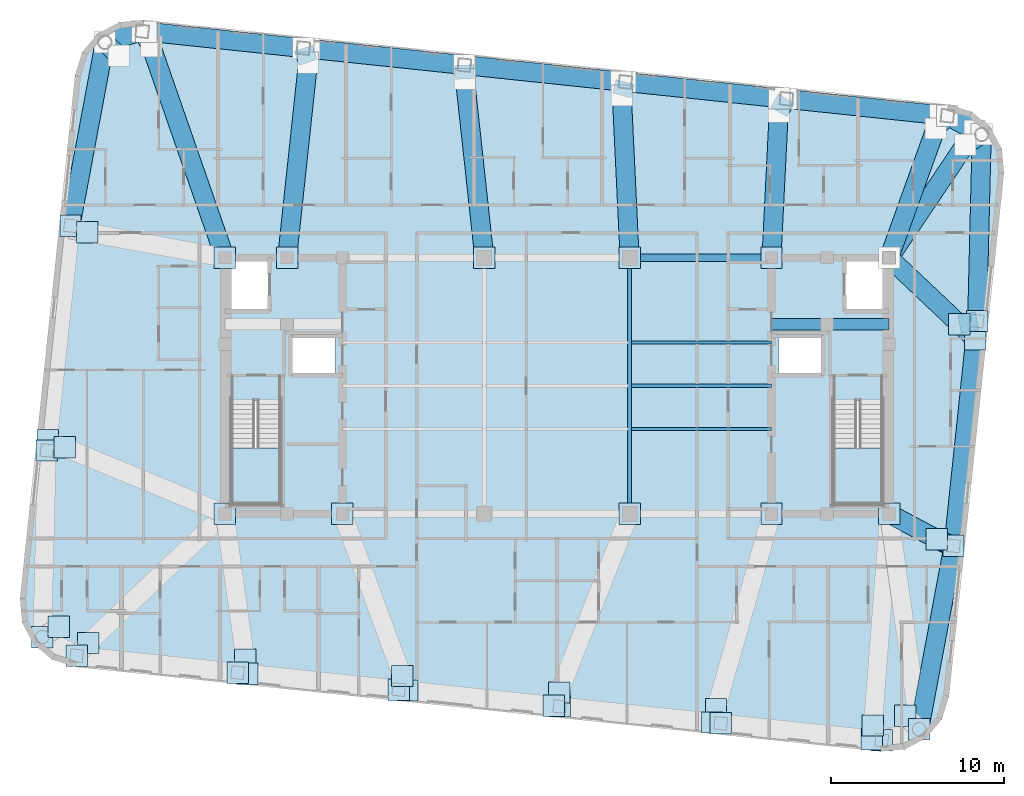
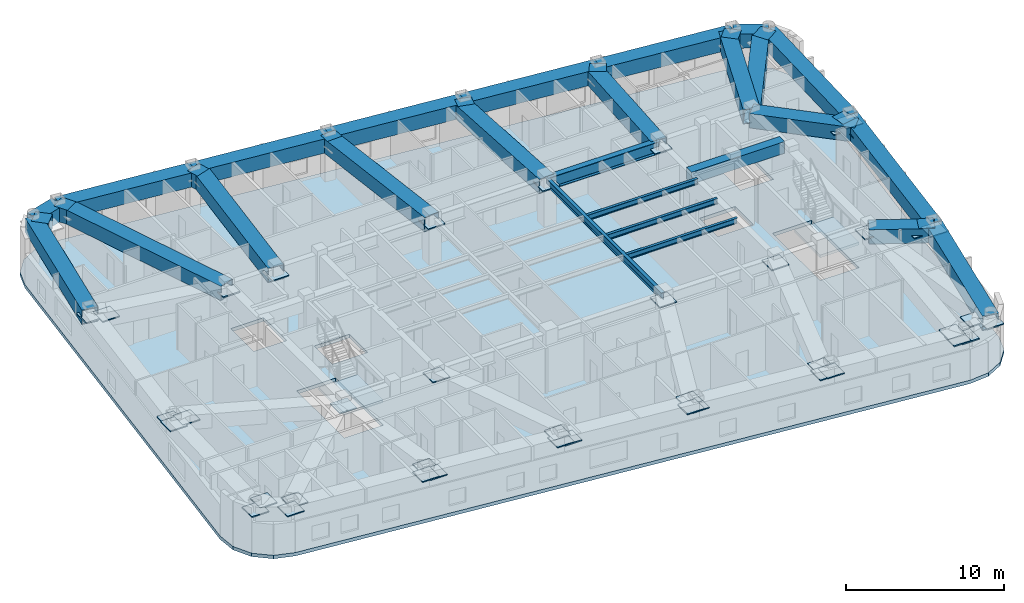
# One storey, part 2 of 12: 41 plates, 36 beams, 3 slabs, 2 elements without a shape of their own.
"""IFC4 building model written with IfcOpenShell, lengths in metres."""

from ifc_helpers import new_model, si_unit, direction, frame, origin, origin_2d, place, context, subcontext, project, spatial, polyline, rectangle, hollow_rectangle, i_section, outline, extrude, material, layer, layer_set, material_profile, profile_set, type_object, element, aggregate, save


model = new_model("IFC4")

# Units and contexts
model_context = context("Model", 3, precision=1e-05, world=origin(), true_north=direction((0.0, 1.0)))
body_context = subcontext(model_context, "Body", "Model", "MODEL_VIEW")
ifc_project = project(units=[si_unit("LENGTHUNIT", "METRE"), si_unit("AREAUNIT", "SQUARE_METRE"), si_unit("VOLUMEUNIT", "CUBIC_METRE"), si_unit("PLANEANGLEUNIT", "RADIAN"), si_unit("MASSUNIT", "GRAM", prefix="KILO")], contexts=[model_context])

# Site, building, storey
site_placement = place(None, origin())
site = spatial("IfcSite", under=ifc_project, at=site_placement, CompositionType="ELEMENT")
building_placement = place(site_placement, origin())
building = spatial("IfcBuilding", under=site, at=building_placement, Name="Voryun Gate Residences", CompositionType="ELEMENT")
storey_placement = place(building_placement, frame((0.0, 0.0, 306.800048828125)))
storey = spatial("IfcBuildingStorey", under=building, at=storey_placement, Name="L76", CompositionType="ELEMENT", Elevation=306.800048828125)

# Beams
ifc_material_1 = material(Name="Steel SM420", Category="steel")
ifc_material_profile_1 = material_profile(ifc_material_1, hollow_rectangle(XDim=1.10009765625, YDim=1.10009765625, WallThickness=0.035888671875, at=origin_2d()), Name="BOX-1100x1100x36")
ifc_profile_set_1 = profile_set([ifc_material_profile_1], Name="Steel SM420")
beam_type_1 = type_object("IfcBeamType", Name="BM_ARCH_RIB", PredefinedType="USERDEFINED", material=ifc_profile_set_1)
beam_1_placement = place(storey_placement, frame((20.939453125, -19.855224609375, 2.949951171875), z_axis=(0.183852585596, 0.982953827384, 0.0), x_axis=(-0.982953827384, 0.183852585596, 0.0)))
element("IfcBeam", 1, at=beam_1_placement, inside=storey, type_object=beam_type_1, Name="BM-L76-SPAND-07", ObjectType="GIRDER", PredefinedType="USERDEFINED", context=body_context, shape_type="SweptSolid", body=[
    extrude(hollow_rectangle(XDim=1.10009765625, YDim=1.10009765625, WallThickness=0.035888671875, at=origin_2d()), origin(), (0.0, 0.0, 1.0), 10.78662109375),
])
beam_2_placement = place(storey_placement, frame((22.922607421875, -9.25244140625, 2.949951171875), z_axis=(0.104528209082, 0.994521922084, 0.0), x_axis=(-0.994521922084, 0.104528209082, 0.0)))
element("IfcBeam", 2, at=beam_2_placement, inside=storey, type_object=beam_type_1, Name="BM-L76-SPAND-08", ObjectType="GIRDER", PredefinedType="USERDEFINED", context=body_context, shape_type="SweptSolid", body=[
    extrude(hollow_rectangle(XDim=1.10009765625, YDim=1.10009765625, WallThickness=0.035888671875, at=origin_2d()), origin(), (0.0, 0.0, 1.0), 13.06787109375),
])
beam_3_placement = place(storey_placement, frame((24.28857421875, 3.743896484375, 2.949951171875), z_axis=(0.024534711967, 0.999698978647, 0.0), x_axis=(-0.999698978647, 0.024534711967, 0.0)))
element("IfcBeam", 3, at=beam_3_placement, inside=storey, type_object=beam_type_1, Name="BM-L76-SPAND-09", ObjectType="GIRDER", PredefinedType="USERDEFINED", context=body_context, shape_type="SweptSolid", body=[
    extrude(hollow_rectangle(XDim=1.10009765625, YDim=1.10009765625, WallThickness=0.035888671875, at=origin_2d()), origin(), (0.0, 0.0, 1.0), 10.78662109375),
])
beam_4_placement = place(storey_placement, frame((24.55322265625, 14.52734375, 2.949951171875), z_axis=(-0.878844363117, 0.477108567746, 0.0), x_axis=(-0.477108567746, -0.878844363117, 0.0)))
element("IfcBeam", 4, at=beam_4_placement, inside=storey, type_object=beam_type_1, Name="BM-L76-SPAND-10", ObjectType="GIRDER", PredefinedType="USERDEFINED", context=body_context, shape_type="SweptSolid", body=[
    extrude(hollow_rectangle(XDim=1.10009765625, YDim=1.10009765625, WallThickness=0.035888671875, at=origin_2d()), origin(), (0.0, 0.0, 1.0), 2.257568359375),
])
beam_5_placement = place(storey_placement, frame((22.569091796875, 15.6044921875, 2.949951171875), z_axis=(-0.994520592114, 0.104540862157, 0.0), x_axis=(-0.104540862157, -0.994520592114, 0.0)))
element("IfcBeam", 5, at=beam_5_placement, inside=storey, type_object=beam_type_1, Name="BM-L76-SPAND-11", ObjectType="GIRDER", PredefinedType="USERDEFINED", context=body_context, shape_type="SweptSolid", body=[
    extrude(hollow_rectangle(XDim=1.10009765625, YDim=1.10009765625, WallThickness=0.035888671875, at=origin_2d()), origin(), (0.0, 0.0, 1.0), 9.360107421875),
])
beam_6_placement = place(storey_placement, frame((13.26025390625, 16.5830078125, 2.949951171875), z_axis=(-0.994523018663, 0.104517775278, 0.0), x_axis=(-0.104517775278, -0.994523018663, 0.0)))
element("IfcBeam", 6, at=beam_6_placement, inside=storey, type_object=beam_type_1, Name="BM-L76-SPAND-12", ObjectType="GIRDER", PredefinedType="USERDEFINED", context=body_context, shape_type="SweptSolid", body=[
    extrude(hollow_rectangle(XDim=1.10009765625, YDim=1.10009765625, WallThickness=0.035888671875, at=origin_2d()), origin(), (0.0, 0.0, 1.0), 9.35986328125),
])
for number, where, z_axis, x_axis, name in (
    (7, (3.95166015625, 17.561279296875, 2.949951171875), (-0.994520592114, 0.104540862157, 0.0), (-0.104540862157, -0.994520592114, 0.0), "BM-L76-SPAND-13"),
    (8, (-5.357177734375, 18.539794921875, 2.949951171875), (-0.994523303591, 0.104515064059, 0.0), (-0.104515064059, -0.994523303591, 0.0), "BM-L76-SPAND-14"),
):
    element("IfcBeam", number, at=place(storey_placement, frame(where, z_axis=z_axis, x_axis=x_axis)), inside=storey, type_object=beam_type_1, Name=name, ObjectType="GIRDER", PredefinedType="USERDEFINED", context=body_context, shape_type="SweptSolid", body=[
        extrude(hollow_rectangle(XDim=1.10009765625, YDim=1.10009765625, WallThickness=0.035888671875, at=origin_2d()), origin(), (0.0, 0.0, 1.0), 9.360107421875),
    ])
beam_7_placement = place(storey_placement, frame((-14.666015625, 19.51806640625, 2.949951171875), z_axis=(-0.994520307047, 0.104543574031, 0.0), x_axis=(-0.104543574031, -0.994520307047, 0.0)))
element("IfcBeam", 9, at=beam_7_placement, inside=storey, type_object=beam_type_1, Name="BM-L76-SPAND-15", ObjectType="GIRDER", PredefinedType="USERDEFINED", context=body_context, shape_type="SweptSolid", body=[
    extrude(hollow_rectangle(XDim=1.10009765625, YDim=1.10009765625, WallThickness=0.035888671875, at=origin_2d()), origin(), (0.0, 0.0, 1.0), 9.35986328125),
])
beam_8_placement = place(storey_placement, frame((-23.974609375, 20.49658203125, 2.949951171875), z_axis=(-0.958805748412, -0.28406255792, 0.0), x_axis=(0.28406255792, -0.958805748412, 0.0)))
element("IfcBeam", 10, at=beam_8_placement, inside=storey, type_object=beam_type_1, Name="BM-L76-SPAND-16", ObjectType="GIRDER", PredefinedType="USERDEFINED", context=body_context, shape_type="SweptSolid", body=[
    extrude(hollow_rectangle(XDim=1.10009765625, YDim=1.10009765625, WallThickness=0.035888671875, at=origin_2d()), origin(), (0.0, 0.0, 1.0), 2.2578125),
])
beam_9_placement = place(storey_placement, frame((-26.139404296875, 19.855224609375, 2.949951171875), z_axis=(-0.183852585596, -0.982953827384, 0.0), x_axis=(0.982953827384, -0.183852585596, 0.0)))
element("IfcBeam", 11, at=beam_9_placement, inside=storey, type_object=beam_type_1, Name="BM-L76-SPAND-17", ObjectType="GIRDER", PredefinedType="USERDEFINED", context=body_context, shape_type="SweptSolid", body=[
    extrude(hollow_rectangle(XDim=1.10009765625, YDim=1.10009765625, WallThickness=0.035888671875, at=origin_2d()), origin(), (0.0, 0.0, 1.0), 10.78662109375),
])
beam_10_placement = place(storey_placement, frame((19.199951171875, -7.39990234375, 2.949951171875), z_axis=(0.883595080329, -0.468251784854, 0.0), x_axis=(0.468251784854, 0.883595080329, 0.0)))
element("IfcBeam", 12, at=beam_10_placement, inside=storey, type_object=beam_type_1, Name="BM-L76-XFERCANT-E1", ObjectType="GIRDER", PredefinedType="USERDEFINED", context=body_context, shape_type="SweptSolid", body=[
    extrude(hollow_rectangle(XDim=1.10009765625, YDim=1.10009765625, WallThickness=0.035888671875, at=origin_2d()), origin(), (0.0, 0.0, 1.0), 4.18994140625),
])
beam_11_placement = place(storey_placement, frame((22.922607421875, -9.25244140625, 2.949951171875), z_axis=(-0.926767968051, 0.375634308063, 0.0), x_axis=(-0.375634308063, -0.926767968051, 0.0)))
element("IfcBeam", 13, at=beam_11_placement, inside=storey, type_object=beam_type_1, Name="BM-L76-XFERLOW-E1", ObjectType="GIRDER", PredefinedType="USERDEFINED", context=body_context, shape_type="SweptSolid", body=[
    extrude(hollow_rectangle(XDim=1.10009765625, YDim=1.10009765625, WallThickness=0.035888671875, at=origin_2d()), origin(), (0.0, 0.0, 1.0), 1.04052734375),
])
beam_12_placement = place(storey_placement, frame((19.199951171875, 7.39990234375, 2.949951171875), z_axis=(0.727031937417, -0.686603642559, 0.0), x_axis=(0.686603642559, 0.727031937417, 0.0)))
element("IfcBeam", 14, at=beam_12_placement, inside=storey, type_object=beam_type_1, Name="BM-L76-XFERCANT-E2", ObjectType="GIRDER", PredefinedType="USERDEFINED", context=body_context, shape_type="SweptSolid", body=[
    extrude(hollow_rectangle(XDim=1.10009765625, YDim=1.10009765625, WallThickness=0.035888671875, at=origin_2d()), origin(), (0.0, 0.0, 1.0), 6.84814453125),
])
beam_13_placement = place(storey_placement, frame((24.28857421875, 3.743896484375, 2.949951171875), z_axis=(-0.984608293119, -0.174775596467, 0.0), x_axis=(0.174775596467, -0.984608293119, 0.0)))
element("IfcBeam", 15, at=beam_13_placement, inside=storey, type_object=beam_type_1, Name="BM-L76-XFERLOW-E2", ObjectType="GIRDER", PredefinedType="USERDEFINED", context=body_context, shape_type="SweptSolid", body=[
    extrude(hollow_rectangle(XDim=1.10009765625, YDim=1.10009765625, WallThickness=0.035888671875, at=origin_2d()), origin(), (0.0, 0.0, 1.0), 1.040771484375),
])
beam_14_placement = place(storey_placement, frame((19.199951171875, 7.39990234375, 2.949951171875), z_axis=(0.558516794398, 0.829493212977, 0.0), x_axis=(-0.829493212977, 0.558516794398, 0.0)))
element("IfcBeam", 16, at=beam_14_placement, inside=storey, type_object=beam_type_1, Name="BM-L76-XFERCANT-CNE", ObjectType="GIRDER", PredefinedType="USERDEFINED", context=body_context, shape_type="SweptSolid", body=[
    extrude(hollow_rectangle(XDim=1.10009765625, YDim=1.10009765625, WallThickness=0.035888671875, at=origin_2d()), origin(), (0.0, 0.0, 1.0), 8.8583984375),
])
beam_15_placement = place(storey_placement, frame((24.55322265625, 14.52734375, 2.949951171875), z_axis=(-0.850605241231, -0.525804834127, 0.0), x_axis=(0.525804834127, -0.850605241231, 0.0)))
element("IfcBeam", 17, at=beam_15_placement, inside=storey, type_object=beam_type_1, Name="BM-L76-XFERLOW-CNE", ObjectType="GIRDER", PredefinedType="USERDEFINED", context=body_context, shape_type="SweptSolid", body=[
    extrude(hollow_rectangle(XDim=1.10009765625, YDim=1.10009765625, WallThickness=0.035888671875, at=origin_2d()), origin(), (0.0, 0.0, 1.0), 1.1162109375),
])
beam_16_placement = place(storey_placement, frame((19.199951171875, 7.39990234375, 2.949951171875), z_axis=(0.338585315851, 0.940935695938, 0.0), x_axis=(-0.940935695938, 0.338585315851, 0.0)))
element("IfcBeam", 18, at=beam_16_placement, inside=storey, type_object=beam_type_1, Name="BM-L76-XFERCANT-N1", ObjectType="GIRDER", PredefinedType="USERDEFINED", context=body_context, shape_type="SweptSolid", body=[
    extrude(hollow_rectangle(XDim=1.10009765625, YDim=1.10009765625, WallThickness=0.035888671875, at=origin_2d()), origin(), (0.0, 0.0, 1.0), 8.764404296875),
])
beam_17_placement = place(storey_placement, frame((22.569091796875, 15.6044921875, 2.949951171875), z_axis=(-0.680497924835, -0.732750008048, 0.0), x_axis=(0.732750008048, -0.680497924835, 0.0)))
element("IfcBeam", 19, at=beam_17_placement, inside=storey, type_object=beam_type_1, Name="BM-L76-XFERLOW-N1", ObjectType="GIRDER", PredefinedType="USERDEFINED", context=body_context, shape_type="SweptSolid", body=[
    extrude(hollow_rectangle(XDim=1.10009765625, YDim=1.10009765625, WallThickness=0.035888671875, at=origin_2d()), origin(), (0.0, 0.0, 1.0), 1.0),
])
beam_18_placement = place(storey_placement, frame((12.39990234375, 7.39990234375, 2.949951171875), z_axis=(0.049638365251, 0.998767256519, 0.0), x_axis=(-0.998767256519, 0.049638365251, 0.0)))
element("IfcBeam", 20, at=beam_18_placement, inside=storey, type_object=beam_type_1, Name="BM-L76-XFERCANT-N2", ObjectType="GIRDER", PredefinedType="USERDEFINED", context=body_context, shape_type="SweptSolid", body=[
    extrude(hollow_rectangle(XDim=1.10009765625, YDim=1.10009765625, WallThickness=0.035888671875, at=origin_2d()), origin(), (0.0, 0.0, 1.0), 9.23681640625),
])
beam_19_placement = place(storey_placement, frame((13.26025390625, 16.5830078125, 2.949951171875), z_axis=(-0.503403791868, -0.86405128455, 0.0), x_axis=(0.86405128455, -0.503403791868, 0.0)))
element("IfcBeam", 21, at=beam_19_placement, inside=storey, type_object=beam_type_1, Name="BM-L76-XFERLOW-N2", ObjectType="GIRDER", PredefinedType="USERDEFINED", context=body_context, shape_type="SweptSolid", body=[
    extrude(hollow_rectangle(XDim=1.10009765625, YDim=1.10009765625, WallThickness=0.035888671875, at=origin_2d()), origin(), (0.0, 0.0, 1.0), 0.87744140625),
])
beam_20_placement = place(storey_placement, frame((4.199951171875, 7.39990234375, 2.949951171875), z_axis=(-0.048067844958, 0.998844073057, 0.0), x_axis=(-0.998844073057, -0.048067844958, 0.0)))
element("IfcBeam", 22, at=beam_20_placement, inside=storey, type_object=beam_type_1, Name="BM-L76-XFERCANT-N3", ObjectType="GIRDER", PredefinedType="USERDEFINED", context=body_context, shape_type="SweptSolid", body=[
    extrude(hollow_rectangle(XDim=1.10009765625, YDim=1.10009765625, WallThickness=0.035888671875, at=origin_2d()), origin(), (0.0, 0.0, 1.0), 10.19873046875),
])
beam_21_placement = place(storey_placement, frame((3.95166015625, 17.561279296875, 2.949951171875), z_axis=(-0.251119275724, -0.967956150536, 0.0), x_axis=(0.967956150536, -0.251119275724, 0.0)))
element("IfcBeam", 23, at=beam_21_placement, inside=storey, type_object=beam_type_1, Name="BM-L76-XFERLOW-N3", ObjectType="GIRDER", PredefinedType="USERDEFINED", context=body_context, shape_type="SweptSolid", body=[
    extrude(hollow_rectangle(XDim=1.10009765625, YDim=1.10009765625, WallThickness=0.035888671875, at=origin_2d()), origin(), (0.0, 0.0, 1.0), 0.808837890625),
])
beam_22_placement = place(storey_placement, frame((-4.199951171875, 7.39990234375, 2.949951171875), z_axis=(-0.107926301064, 0.99415889753, 0.0), x_axis=(-0.99415889753, -0.107926301064, 0.0)))
element("IfcBeam", 24, at=beam_22_placement, inside=storey, type_object=beam_type_1, Name="BM-L76-XFERCANT-N4", ObjectType="GIRDER", PredefinedType="USERDEFINED", context=body_context, shape_type="SweptSolid", body=[
    extrude(hollow_rectangle(XDim=1.10009765625, YDim=1.10009765625, WallThickness=0.035888671875, at=origin_2d()), origin(), (0.0, 0.0, 1.0), 11.2109375),
])
beam_23_placement = place(storey_placement, frame((-5.357177734375, 18.539794921875, 2.949951171875), z_axis=(0.044065915215, -0.999028625774, 0.0), x_axis=(0.999028625774, 0.044065915215, 0.0)))
element("IfcBeam", 25, at=beam_23_placement, inside=storey, type_object=beam_type_1, Name="BM-L76-XFERLOW-N4", ObjectType="GIRDER", PredefinedType="USERDEFINED", context=body_context, shape_type="SweptSolid", body=[
    extrude(hollow_rectangle(XDim=1.10009765625, YDim=1.10009765625, WallThickness=0.035888671875, at=origin_2d()), origin(), (0.0, 0.0, 1.0), 0.808837890625),
])
beam_24_placement = place(storey_placement, frame((-15.60009765625, 7.39990234375, 2.949951171875), z_axis=(0.106480619386, 0.994314777973, 0.0), x_axis=(-0.994314777973, 0.106480619386, 0.0)))
element("IfcBeam", 26, at=beam_24_placement, inside=storey, type_object=beam_type_1, Name="BM-L76-XFERCANT-N5", ObjectType="GIRDER", PredefinedType="USERDEFINED", context=body_context, shape_type="SweptSolid", body=[
    extrude(hollow_rectangle(XDim=1.10009765625, YDim=1.10009765625, WallThickness=0.035888671875, at=origin_2d()), origin(), (0.0, 0.0, 1.0), 12.149658203125),
])
beam_25_placement = place(storey_placement, frame((-14.666015625, 19.51806640625, 2.949951171875), z_axis=(0.312802688786, -0.949818128848, 0.0), x_axis=(0.949818128848, 0.312802688786, 0.0)))
element("IfcBeam", 27, at=beam_25_placement, inside=storey, type_object=beam_type_1, Name="BM-L76-XFERLOW-N5", ObjectType="GIRDER", PredefinedType="USERDEFINED", context=body_context, shape_type="SweptSolid", body=[
    extrude(hollow_rectangle(XDim=1.10009765625, YDim=1.10009765625, WallThickness=0.035888671875, at=origin_2d()), origin(), (0.0, 0.0, 1.0), 0.877197265625),
])
beam_26_placement = place(storey_placement, frame((-19.199951171875, 7.39990234375, 2.949951171875), z_axis=(-0.3288448383, 0.944383964457, 0.0), x_axis=(-0.944383964457, -0.3288448383, 0.0)))
element("IfcBeam", 28, at=beam_26_placement, inside=storey, type_object=beam_type_1, Name="BM-L76-XFERCANT-N6", ObjectType="GIRDER", PredefinedType="USERDEFINED", context=body_context, shape_type="SweptSolid", body=[
    extrude(hollow_rectangle(XDim=1.10009765625, YDim=1.10009765625, WallThickness=0.035888671875, at=origin_2d()), origin(), (0.0, 0.0, 1.0), 13.84326171875),
])
beam_27_placement = place(storey_placement, frame((-23.974609375, 20.49658203125, 2.949951171875), z_axis=(0.513130929105, -0.858310345735, 0.0), x_axis=(0.858310345735, 0.513130929105, 0.0)))
element("IfcBeam", 29, at=beam_27_placement, inside=storey, type_object=beam_type_1, Name="BM-L76-XFERLOW-N6", ObjectType="GIRDER", PredefinedType="USERDEFINED", context=body_context, shape_type="SweptSolid", body=[
    extrude(hollow_rectangle(XDim=1.10009765625, YDim=1.10009765625, WallThickness=0.035888671875, at=origin_2d()), origin(), (0.0, 0.0, 1.0), 1.0),
])
beam_28_placement = place(storey_placement, frame((-26.139404296875, 19.855224609375, 2.949951171875), z_axis=(0.722789121667, -0.691068654766, 0.0), x_axis=(0.691068654766, 0.722789121667, 0.0)))
element("IfcBeam", 30, at=beam_28_placement, inside=storey, type_object=beam_type_1, Name="BM-L76-XFERLOW-CNW", ObjectType="GIRDER", PredefinedType="USERDEFINED", context=body_context, shape_type="SweptSolid", body=[
    extrude(hollow_rectangle(XDim=1.10009765625, YDim=1.10009765625, WallThickness=0.035888671875, at=origin_2d()), origin(), (0.0, 0.0, 1.0), 1.115966796875),
])
ifc_material_2 = material(Name="Concrete C60/75", Category="concrete")
ifc_material_profile_2 = material_profile(ifc_material_2, rectangle(XDim=0.64990234375, YDim=0.89990234375, at=origin_2d()), Name="RC-650x900")
ifc_profile_set_2 = profile_set([ifc_material_profile_2], Name="Concrete C60/75")
beam_type_2 = type_object("IfcBeamType", Name="BM_COUP_RC900", PredefinedType="LINTEL", material=ifc_profile_set_2)
beam_29_placement = place(storey_placement, frame((12.39990234375, 3.550048828125, 3.050048828125), z_axis=(1.0, 0.0, 0.0), x_axis=(0.0, 1.0, 0.0)))
element("IfcBeam", 31, at=beam_29_placement, inside=storey, type_object=beam_type_2, Name="BM-L76-EC1", PredefinedType="LINTEL", context=body_context, shape_type="SweptSolid", body=[
    extrude(rectangle(XDim=0.64990234375, YDim=0.89990234375, at=origin_2d()), origin(), (0.0, 0.0, 1.0), 6.800048828125),
])
ifc_material_3 = material(Name="Steel SM355", Category="steel")
ifc_material_profile_3 = material_profile(ifc_material_3, i_section(OverallWidth=0.239990234375, OverallDepth=0.550048828125, WebThickness=0.011962890625, FlangeThickness=0.02001953125, FilletRadius=0.01806640625, at=origin_2d()), Name="H-550x240x12x20")
ifc_profile_set_3 = profile_set([ifc_material_profile_3], Name="Steel SM355")
beam_type_3 = type_object("IfcBeamType", Name="BM_GIRD_550", PredefinedType="USERDEFINED", material=ifc_profile_set_3)
beam_30_placement = place(storey_placement, frame((4.199951171875, -7.39990234375, 3.224853515625), z_axis=(0.0, 1.0, 0.0), x_axis=(-1.0, 0.0, 0.0)))
element("IfcBeam", 32, at=beam_30_placement, inside=storey, type_object=beam_type_3, Name="BM-L76-SPX-E", ObjectType="GIRDER", PredefinedType="USERDEFINED", context=body_context, shape_type="SweptSolid", body=[
    extrude(i_section(OverallWidth=0.239990234375, OverallDepth=0.550048828125, WebThickness=0.011962890625, FlangeThickness=0.02001953125, FilletRadius=0.01806640625, at=origin_2d()), origin(), (0.0, 0.0, 1.0), 14.7998046875),
])
ifc_material_4 = material(Name="Steel SM355", Category="steel")
ifc_material_profile_4 = material_profile(ifc_material_4, i_section(OverallWidth=0.18994140625, OverallDepth=0.419921875, WebThickness=0.009033203125, FlangeThickness=0.01611328125, FilletRadius=0.01806640625, at=origin_2d()), Name="H-420x190x9x16")
ifc_profile_set_4 = profile_set([ifc_material_profile_4], Name="Steel SM355")
beam_type_4 = type_object("IfcBeamType", Name="BM_SEC_420", PredefinedType="BEAM", material=ifc_profile_set_4)
for number, where, z_axis, x_axis, name in (
    (33, (4.300048828125, -2.5, 3.2900390625), (1.0, 0.0, 0.0), (0.0, 1.0, 0.0), "BM-L76-SEC-CS3"),
    (34, (4.300048828125, 0.0, 3.2900390625), (1.0, 0.0, 0.0), (0.0, 1.0, 0.0), "BM-L76-SEC-CM3"),
    (35, (4.300048828125, 2.5, 3.2900390625), (1.0, 0.0, 0.0), (0.0, 1.0, 0.0), "BM-L76-SEC-CN3"),
):
    element("IfcBeam", number, at=place(storey_placement, frame(where, z_axis=z_axis, x_axis=x_axis)), inside=storey, type_object=beam_type_4, Name=name, PredefinedType="BEAM", context=body_context, shape_type="SweptSolid", body=[
        extrude(i_section(OverallWidth=0.18994140625, OverallDepth=0.419921875, WebThickness=0.009033203125, FlangeThickness=0.01611328125, FilletRadius=0.01806640625, at=origin_2d()), origin(), (0.0, 0.0, 1.0), 8.099853515625),
    ])
ifc_material_5 = material(Name="Steel SM420", Category="steel")
ifc_material_profile_5 = material_profile(ifc_material_5, i_section(OverallWidth=0.419921875, OverallDepth=0.949951171875, WebThickness=0.02001953125, FlangeThickness=0.035888671875, FilletRadius=0.01806640625, at=origin_2d()), Name="H-950x420x20x36")
ifc_profile_set_5 = profile_set([ifc_material_profile_5], Name="Steel SM420")
beam_type_5 = type_object("IfcBeamType", Name="BM_XFER_950", PredefinedType="USERDEFINED", material=ifc_profile_set_5)
beam_31_placement = place(storey_placement, frame((4.199951171875, 7.39990234375, 3.02490234375), z_axis=(1.0, 0.0, 0.0), x_axis=(0.0, 1.0, 0.0)))
element("IfcBeam", 36, at=beam_31_placement, inside=storey, type_object=beam_type_5, Name="BM-L76-SPG3-N", ObjectType="GIRDER", PredefinedType="USERDEFINED", context=body_context, shape_type="SweptSolid", body=[
    extrude(i_section(OverallWidth=0.419921875, OverallDepth=0.949951171875, WebThickness=0.02001953125, FlangeThickness=0.035888671875, FilletRadius=0.01806640625, at=origin_2d()), origin(), (0.0, 0.0, 1.0), 8.199951171875),
])

# Plates
ifc_material_6 = material(Name="Steel SM355", Category="steel")
ifc_layer_1 = layer(ifc_material_6, 0.02490234375, Name="PLT_END_CAP_25")
ifc_layer_set_1 = layer_set([ifc_layer_1], Name="Steel SM355")
plate_type = type_object("IfcPlateType", Name="PLT_END_CAP_25", PredefinedType="USERDEFINED", material=ifc_layer_set_1)
for number, where, z_axis, x_axis, name in (
    (37, (-27.76904296875, -15.6044921875, 2.909912109375), (0.0, 0.0, 1.0), (1.0, 0.0, 0.0), "L76 Hollow Member End-Cap Plate EC-829"),
    (38, (-18.460205078125, -16.5830078125, 2.909912109375), (0.0, 0.0, 1.0), (1.0, 0.0, 0.0), "L76 Hollow Member End-Cap Plate EC-830"),
    (39, (-9.151611328125, -17.561279296875, 2.909912109375), (0.0, 0.0, 1.0), (1.0, 0.0, 0.0), "L76 Hollow Member End-Cap Plate EC-831"),
    (40, (0.1572265625, -18.539794921875, 2.909912109375), (0.0, 0.0, 1.0), (1.0, 0.0, 0.0), "L76 Hollow Member End-Cap Plate EC-832"),
    (41, (9.4658203125, -19.51806640625, 2.909912109375), (0.0, 0.0, 1.0), (1.0, 0.0, 0.0), "L76 Hollow Member End-Cap Plate EC-833"),
    (42, (18.774658203125, -20.49658203125, 2.909912109375), (0.0, 0.0, 1.0), (1.0, 0.0, 0.0), "L76 Hollow Member End-Cap Plate EC-834"),
    (43, (20.939453125, -19.855224609375, 2.909912109375), (0.0, 0.0, 1.0), (1.0, 0.0, 0.0), "L76 Hollow Member End-Cap Plate EC-835"),
    (44, (22.922607421875, -9.25244140625, 2.909912109375), (0.0, 0.0, 1.0), (1.0, 0.0, 0.0), "L76 Hollow Member End-Cap Plate EC-836"),
    (45, (24.28857421875, 3.743896484375, 2.909912109375), (0.0, 0.0, 1.0), (1.0, 0.0, 0.0), "L76 Hollow Member End-Cap Plate EC-837"),
    (46, (-28.122802734375, 9.25244140625, 2.909912109375), (0.0, 0.0, 1.0), (1.0, 0.0, 0.0), "L76 Hollow Member End-Cap Plate EC-846"),
    (47, (-29.488525390625, -3.743896484375, 2.909912109375), (0.0, 0.0, 1.0), (1.0, 0.0, 0.0), "L76 Hollow Member End-Cap Plate EC-847"),
    (48, (-29.75341796875, -14.52734375, 2.909912109375), (0.0, 0.0, 1.0), (1.0, 0.0, 0.0), "L76 Hollow Member End-Cap Plate EC-848"),
    (49, (-19.199951171875, -7.39990234375, 2.909912109375), (0.0, 0.0, 1.0), (1.0, 0.0, 0.0), "L76 Hollow Member End-Cap Plate EC-849"),
    (50, (-27.088623046875, -14.87158203125, 2.909912109375), (0.0, 0.0, 1.0), (1.0, 0.0, 0.0), "L76 Hollow Member End-Cap Plate EC-850"),
    (51, (-17.904052734375, -16.641357421875, 2.909912109375), (0.0, 0.0, 1.0), (1.0, 0.0, 0.0), "L76 Hollow Member End-Cap Plate EC-851"),
    (52, (-18.0185546875, -15.824951171875, 2.909912109375), (0.0, 0.0, 1.0), (1.0, 0.0, 0.0), "L76 Hollow Member End-Cap Plate EC-852"),
    (53, (-12.39990234375, -7.39990234375, 2.909912109375), (0.0, 0.0, 1.0), (1.0, 0.0, 0.0), "L76 Hollow Member End-Cap Plate EC-853"),
    (54, (-8.640625, -17.614990234375, 2.909912109375), (0.0, 0.0, 1.0), (1.0, 0.0, 0.0), "L76 Hollow Member End-Cap Plate EC-854"),
    (55, (-8.948486328125, -16.7783203125, 2.909912109375), (0.0, 0.0, 1.0), (1.0, 0.0, 0.0), "L76 Hollow Member End-Cap Plate EC-855"),
    (56, (4.199951171875, -7.39990234375, 2.909912109375), (0.0, 0.0, 1.0), (1.0, 0.0, 0.0), "L76 Hollow Member End-Cap Plate EC-856"),
    (57, (-0.183349609375, -18.50390625, 2.909912109375), (0.0, 0.0, 1.0), (1.0, 0.0, 0.0), "L76 Hollow Member End-Cap Plate EC-857"),
    (58, (0.12158203125, -17.731689453125, 2.909912109375), (0.0, 0.0, 1.0), (1.0, 0.0, 0.0), "L76 Hollow Member End-Cap Plate EC-858"),
    (59, (12.39990234375, -7.39990234375, 2.909912109375), (0.0, 0.0, 1.0), (1.0, 0.0, 0.0), "L76 Hollow Member End-Cap Plate EC-859"),
    (60, (8.969482421875, -19.466064453125, 2.909912109375), (0.0, 0.0, 1.0), (1.0, 0.0, 0.0), "L76 Hollow Member End-Cap Plate EC-860"),
    (61, (9.19140625, -18.684814453125, 2.909912109375), (0.0, 0.0, 1.0), (1.0, 0.0, 0.0), "L76 Hollow Member End-Cap Plate EC-861"),
    (62, (19.199951171875, -7.39990234375, 2.909912109375), (0.0, 0.0, 1.0), (1.0, 0.0, 0.0), "L76 Hollow Member End-Cap Plate EC-862"),
    (63, (18.2001953125, -20.436279296875, 2.909912109375), (0.0, 0.0, 1.0), (1.0, 0.0, 0.0), "L76 Hollow Member End-Cap Plate EC-863"),
    (64, (18.261474609375, -19.63818359375, 2.909912109375), (0.0, 0.0, 1.0), (1.0, 0.0, 0.0), "L76 Hollow Member End-Cap Plate EC-864"),
    (65, (20.1328125, -19.083984375, 2.909912109375), (0.0, 0.0, 1.0), (1.0, 0.0, 0.0), "L76 Hollow Member End-Cap Plate EC-865"),
    (66, (21.958251953125, -8.861572265625, 2.909912109375), (0.0, 0.0, 1.0), (1.0, 0.0, 0.0), "L76 Hollow Member End-Cap Plate EC-866"),
    (67, (24.1787109375, 2.697998046875, 2.909912109375), (0.0, 0.0, 1.0), (1.0, 0.0, 0.0), "L76 Hollow Member End-Cap Plate EC-868"),
    (68, (23.263916015625, 3.56201171875, 2.909912109375), (0.0, 0.0, 1.0), (1.0, 0.0, 0.0), "L76 Hollow Member End-Cap Plate EC-869"),
    (69, (12.39990234375, 7.39990234375, 2.909912109375), (0.0, 0.0, 1.0), (1.0, 0.0, 0.0), "L76 Hollow Member End-Cap Plate EC-874"),
    (70, (4.199951171875, 7.39990234375, 2.909912109375), (0.0, 0.0, 1.0), (1.0, 0.0, 0.0), "L76 Hollow Member End-Cap Plate EC-877"),
    (71, (-4.199951171875, 7.39990234375, 2.909912109375), (0.0, 0.0, 1.0), (1.0, 0.0, 0.0), "L76 Hollow Member End-Cap Plate EC-880"),
    (72, (-15.60009765625, 7.39990234375, 2.909912109375), (0.0, 0.0, 1.0), (1.0, 0.0, 0.0), "L76 Hollow Member End-Cap Plate EC-882"),
    (73, (-19.199951171875, 7.39990234375, 2.909912109375), (0.0, 0.0, 1.0), (1.0, 0.0, 0.0), "L76 Hollow Member End-Cap Plate EC-885"),
    (74, (-27.158203125, 8.861572265625, 2.909912109375), (0.0, 0.0, 1.0), (1.0, 0.0, 0.0), "L76 Hollow Member End-Cap Plate EC-889"),
    (75, (-29.427490234375, -3.162841796875, 2.909912109375), (0.0, 0.0, 1.0), (1.0, 0.0, 0.0), "L76 Hollow Member End-Cap Plate EC-890"),
    (76, (-28.464111328125, -3.56201171875, 2.909912109375), (0.0, 0.0, 1.0), (1.0, 0.0, 0.0), "L76 Hollow Member End-Cap Plate EC-891"),
    (77, (-28.8037109375, -13.9404296875, 2.909912109375), (0.0, 0.0, 1.0), (1.0, 0.0, 0.0), "L76 Hollow Member End-Cap Plate EC-892"),
):
    element("IfcPlate", number, at=place(storey_placement, frame(where, z_axis=z_axis, x_axis=x_axis)), inside=storey, type_object=plate_type, Name=name, ObjectType="BASE_PLATE", PredefinedType="USERDEFINED", context=body_context, shape_type="SweptSolid", body=[
        extrude(rectangle(XDim=1.239990234375, YDim=1.239990234375, at=origin_2d()), origin(), (0.0, 0.0, 1.0), 0.080078125),
    ])

# Slab
ifc_material_7 = material(Name="Concrete C40/50", Category="concrete")
ifc_layer_2 = layer(ifc_material_7, 0.264892578125, Name="SLB_PENT_265")
ifc_layer_set_2 = layer_set([ifc_layer_2], Name="Concrete C40/50")
slab_type_1 = type_object("IfcSlabType", Name="SLB_PENT_265", PredefinedType="FLOOR", material=ifc_layer_set_2)
slab_1_placement = place(storey_placement, frame((0.0, 0.0, -0.26513671875)))
element("IfcSlab", 78, at=slab_1_placement, inside=storey, type_object=slab_type_1, Name="L76 Structural Floor Slab", PredefinedType="FLOOR", context=body_context, shape_type="SweptSolid", body=[
    extrude(outline(polyline([(-27.8369140625, -16.2509765625), (-29.178466796875, -15.83447265625), (-30.25830078125, -14.936279296875), (-30.912353515625, -13.693115234375), (-31.041015625, -12.29443359375), (-27.86328125, 17.93896484375), (-27.44677734375, 19.280517578125), (-26.548583984375, 20.3603515625), (-25.305419921875, 21.014404296875), (-23.90673828125, 21.14306640625), (22.636962890625, 16.2509765625), (23.978515625, 15.83447265625), (25.058349609375, 14.936279296875), (25.71240234375, 13.693115234375), (25.8408203125, 12.29443359375), (22.663330078125, -17.93896484375), (22.246826171875, -19.280517578125), (21.3486328125, -20.3603515625), (20.10546875, -21.014404296875), (18.706787109375, -21.14306640625), (-27.8369140625, -16.2509765625)]), holes=[polyline([(-15.97509765625, -0.840087890625), (-18.824951171875, -0.840087890625), (-18.824951171875, -6.85009765625), (-15.97509765625, -6.85009765625), (-15.97509765625, -0.840087890625)]), polyline([(18.824951171875, -6.85009765625), (18.824951171875, -0.840087890625), (15.97509765625, -0.840087890625), (15.97509765625, -6.85009765625), (18.824951171875, -6.85009765625)]), polyline([(-12.800048828125, 2.89990234375), (-15.39990234375, 2.89990234375), (-15.39990234375, 0.60009765625), (-12.800048828125, 0.60009765625), (-12.800048828125, 2.89990234375)]), polyline([(12.800048828125, 2.89990234375), (12.800048828125, 0.60009765625), (15.39990234375, 0.60009765625), (15.39990234375, 2.89990234375), (12.800048828125, 2.89990234375)]), polyline([(-16.60009765625, 7.199951171875), (-19.0, 7.199951171875), (-19.0, 4.300048828125), (-16.60009765625, 4.300048828125), (-16.60009765625, 7.199951171875)]), polyline([(19.0, 7.199951171875), (16.60009765625, 7.199951171875), (16.60009765625, 4.300048828125), (19.0, 4.300048828125), (19.0, 7.199951171875)])]), origin(), (0.0, 0.0, 1.0), 0.26513671875),
])

# Stair, slab
ifc_material_8 = material(Name="Concrete C40/50", Category="concrete")
stair_type = type_object("IfcStairType", Name="STR_CORE_DOGLEG_1350", PredefinedType="HALF_TURN_STAIR", material=ifc_material_8)
stair_1_placement = place(storey_placement, origin())
stair_1 = element("IfcStair", 79, at=stair_1_placement, inside=storey, type_object=stair_type, Name="L76 Special Escape Stair ST-W1", PredefinedType="HALF_TURN_STAIR")
ifc_material_9 = material(Name="Concrete C40/50", Category="concrete")
ifc_layer_3 = layer(ifc_material_9, 0.199951171875, Name="SLB_STAIR_LANDING_200")
ifc_layer_set_3 = layer_set([ifc_layer_3], Name="Concrete C40/50")
slab_type_2 = type_object("IfcSlabType", Name="SLB_STAIR_LANDING_200", PredefinedType="LANDING", material=ifc_layer_set_3)
slab_2_placement = place(storey_placement, frame((0.0, 0.0, 1.75)))
slab_2 = element("IfcSlab", 80, at=slab_2_placement, type_object=slab_type_2, Name="ST-W1 landing 1", PredefinedType="LANDING", context=body_context, shape_type="SweptSolid", body=[
    extrude(outline(polyline([(-18.824951171875, -3.60009765625), (-18.824951171875, -6.85009765625), (-15.97509765625, -6.85009765625), (-15.97509765625, -3.60009765625), (-18.824951171875, -3.60009765625)])), origin(), (0.0, 0.0, 1.0), 0.199951171875),
])
aggregate(stair_1, [slab_2])

stair_2_placement = place(storey_placement, origin())
stair_2 = element("IfcStair", 81, at=stair_2_placement, inside=storey, type_object=stair_type, Name="L76 Special Escape Stair ST-E1", PredefinedType="HALF_TURN_STAIR")
slab_3_placement = place(storey_placement, frame((0.0, 0.0, 1.75)))
slab_3 = element("IfcSlab", 82, at=slab_3_placement, type_object=slab_type_2, Name="ST-E1 landing 1", PredefinedType="LANDING", context=body_context, shape_type="SweptSolid", body=[
    extrude(outline(polyline([(15.97509765625, -3.60009765625), (15.97509765625, -6.85009765625), (18.824951171875, -6.85009765625), (18.824951171875, -3.60009765625), (15.97509765625, -3.60009765625)])), origin(), (0.0, 0.0, 1.0), 0.199951171875),
])
aggregate(stair_2, [slab_3])

save(model, "model.ifc")
